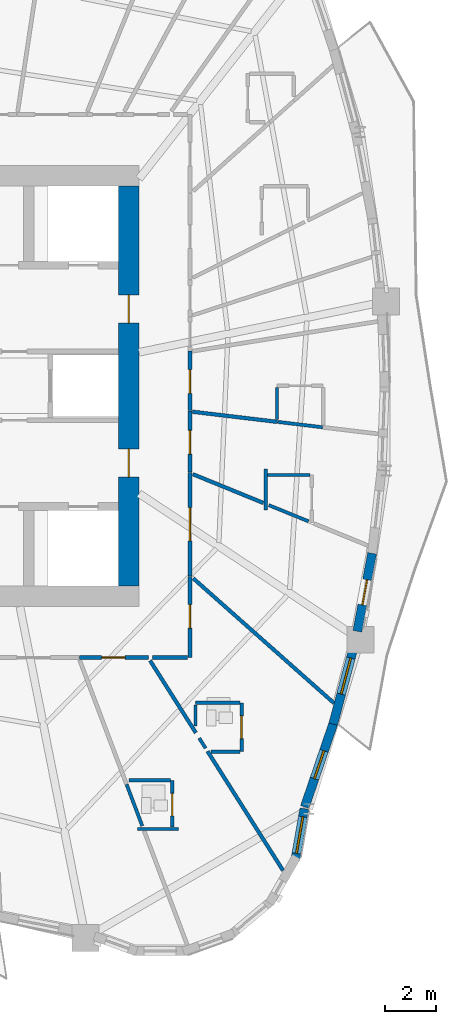
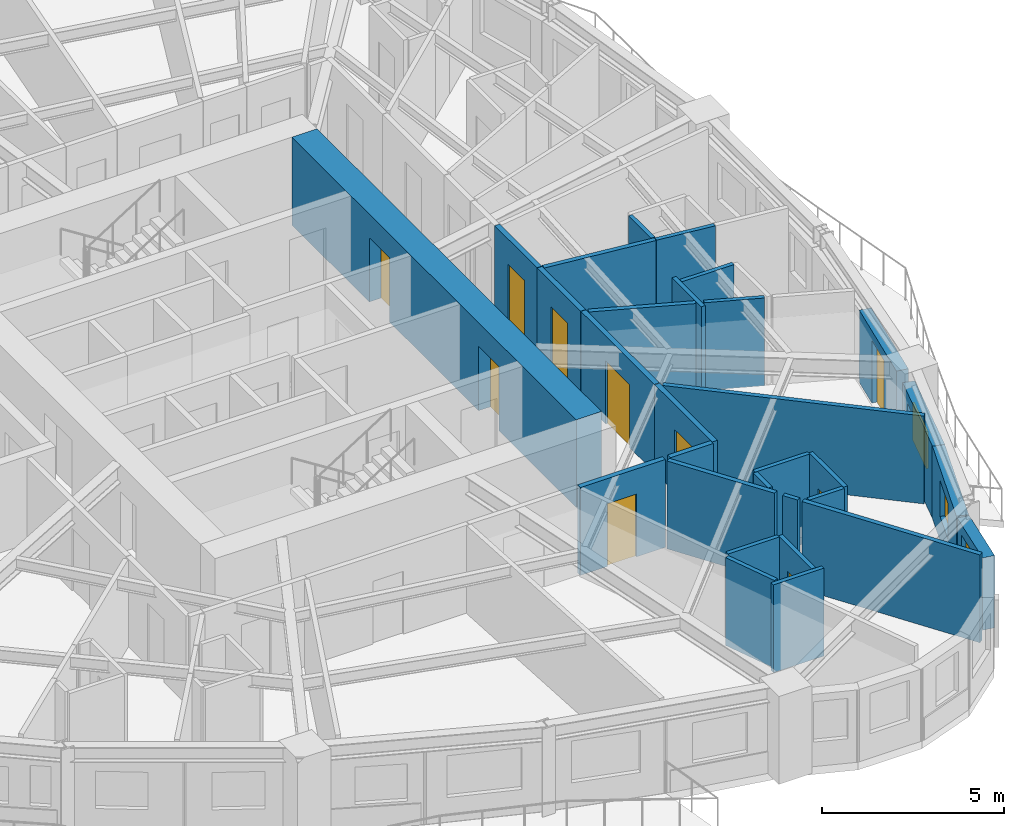
# One storey, part 6 of 14: 30 walls, 10 doors, 3 windows, 13 openings.
"""IFC4 building model written with IfcOpenShell, lengths in metres."""

from ifc_helpers import new_model, si_unit, direction, frame, frame_2d, origin, place, context, subcontext, project, spatial, rectangle, extrude, source, transform, mapped, material, layer, layer_set, type_object, element, fill, save


model = new_model("IFC4")

# Units and contexts
model_context = context("Model", 3, precision=1e-05, world=origin(), true_north=direction((0.0, 1.0)))
body_context = subcontext(model_context, "Body", "Model", "MODEL_VIEW")
ifc_project = project(units=[si_unit("LENGTHUNIT", "METRE"), si_unit("AREAUNIT", "SQUARE_METRE"), si_unit("VOLUMEUNIT", "CUBIC_METRE"), si_unit("PLANEANGLEUNIT", "RADIAN"), si_unit("MASSUNIT", "GRAM", prefix="KILO")], contexts=[model_context])

# Site, building, storey
site_placement = place(None, origin())
site = spatial("IfcSite", under=ifc_project, at=site_placement, CompositionType="ELEMENT")
building_placement = place(site_placement, origin())
building = spatial("IfcBuilding", under=site, at=building_placement, Name="Qafzar Sky-Pleat Residences", CompositionType="ELEMENT")
storey_placement = place(building_placement, frame((0.0, 0.0, 39.800048828125)))
storey = spatial("IfcBuildingStorey", under=building, at=storey_placement, Name="L11", CompositionType="ELEMENT", Elevation=39.800048828125)

# Wall, opening, door
ifc_material_1 = material(Name="Acoustic gypsum plasterboard partition", Category="gypsum")
ifc_layer_1 = layer(ifc_material_1, 0.159912109375)
ifc_layer_set_1 = layer_set([ifc_layer_1], Name="Acoustic gypsum plasterboard partition")
wall_type_1 = type_object("IfcWallType", Name="PART-COR-160", PredefinedType="PARTITIONING", material=ifc_layer_set_1)
wall_1_placement = place(storey_placement, frame((38.679931640625, 22.623046875, 0.0), z_axis=(0.0, 0.0, 1.0), x_axis=(0.0, -1.0, 0.0)))
wall_1 = element("IfcWall", 1, at=wall_1_placement, inside=storey, type_object=wall_type_1, Name="L11 Partition Wall PART-L11-PW-003", PredefinedType="PARTITIONING", context=body_context, shape_type="SweptSolid", body=[
    extrude(rectangle(XDim=4.026123046875, YDim=0.159912109375, at=frame_2d((2.01318359375, 0.0))), origin(), (0.0, 0.0, 1.0), 2.93994140625),
])
opening_1_placement = place(wall_1_placement, frame((1.361083984375, 0.0, 0.0)))
opening_1 = element("IfcOpeningElement", 2, at=opening_1_placement, cuts=wall_1, Name="Opening ID-05", PredefinedType="OPENING", context=body_context, shape_type="SweptSolid", body=[
    extrude(rectangle(XDim=1.300048828125, YDim=2.10009765625, at=frame_2d((0.64990234375, 1.050048828125))), frame((0.0, 0.08984375, 0.0), z_axis=(0.0, -1.0, 0.0), x_axis=(1.0, 0.0, 0.0)), (0.0, 0.0, 1.0), 0.179931640625),
])
ifc_material_2 = material(Name="Timber-faced fire door", Category="wood")
door_type_1 = type_object("IfcDoorType", Name="DR-LNG-1300", OperationType="DOUBLE_DOOR_SINGLE_SWING", PredefinedType="DOOR", material=ifc_material_2)
shared_shape_1 = source(origin(), body_context, "Body", "SweptSolid", [
    extrude(rectangle(XDim=1.300048828125, YDim=2.10009765625, at=frame_2d((0.64990234375, 1.050048828125))), frame((0.0, 0.02490234375, 0.0), z_axis=(0.0, -1.0, 0.0), x_axis=(1.0, 0.0, 0.0)), (0.0, 0.0, 1.0), 0.050048828125),
])
door_1_placement = place(opening_1_placement, origin())
door_1 = element("IfcDoor", 3, at=door_1_placement, inside=storey, type_object=door_type_1, Name="L11 Communal Kitchen Door", OperationType="DOUBLE_DOOR_SINGLE_SWING", OverallHeight=2.10009765625, OverallWidth=1.300048828125, PredefinedType="DOOR", context=body_context, shape_type="MappedRepresentation", body=[
    mapped(shared_shape_1, transform((0.0, 0.0, 0.0), x_axis=(1.0, 0.0, 0.0), y_axis=(0.0, 1.0, 0.0), z_axis=(0.0, 0.0, 1.0), scale=1.0)),
])
fill(opening_1, door_1)

wall_2_placement = place(storey_placement, frame((38.679931640625, 18.58203125, 0.0), z_axis=(0.0, 0.0, 1.0), x_axis=(0.0, -1.0, 0.0)))
wall_2 = element("IfcWall", 4, at=wall_2_placement, inside=storey, type_object=wall_type_1, Name="L11 Partition Wall PART-L11-PW-010", PredefinedType="PARTITIONING", context=body_context, shape_type="SweptSolid", body=[
    extrude(rectangle(XDim=3.162109375, YDim=0.159912109375, at=frame_2d((1.5810546875, 0.0))), origin(), (0.0, 0.0, 1.0), 2.93994140625),
])
opening_2_placement = place(wall_2_placement, frame((1.103515625, 0.0, 0.0)))
opening_2 = element("IfcOpeningElement", 5, at=opening_2_placement, cuts=wall_2, Name="Opening ID-04", PredefinedType="OPENING", context=body_context, shape_type="SweptSolid", body=[
    extrude(rectangle(XDim=0.919921875, YDim=2.10009765625, at=frame_2d((0.4599609375, 1.050048828125))), frame((0.0, 0.08984375, 0.0), z_axis=(0.0, -1.0, 0.0), x_axis=(1.0, 0.0, 0.0)), (0.0, 0.0, 1.0), 0.179931640625),
])
door_type_2 = type_object("IfcDoorType", Name="DR-BED-920", OperationType="NOTDEFINED", PredefinedType="DOOR", material=ifc_material_2)
shared_shape_2 = source(origin(), body_context, "Body", "SweptSolid", [
    extrude(rectangle(XDim=0.919921875, YDim=2.10009765625, at=frame_2d((0.4599609375, 1.050048828125))), frame((0.0, 0.02490234375, 0.0), z_axis=(0.0, -1.0, 0.0), x_axis=(1.0, 0.0, 0.0)), (0.0, 0.0, 1.0), 0.050048828125),
])
door_2_placement = place(opening_2_placement, origin())
door_2 = element("IfcDoor", 6, at=door_2_placement, inside=storey, type_object=door_type_2, Name="L11 Co-Living Bedroom 4 Door", OperationType="SINGLE_SWING_RIGHT", OverallHeight=2.10009765625, OverallWidth=0.919921875, PredefinedType="DOOR", context=body_context, shape_type="MappedRepresentation", body=[
    mapped(shared_shape_2, transform((0.0, 0.0, 0.0), x_axis=(1.0, 0.0, 0.0), y_axis=(0.0, 1.0, 0.0), z_axis=(0.0, 0.0, 1.0), scale=1.0)),
])
fill(opening_2, door_2)

wall_3_placement = place(storey_placement, frame((37.069091796875, 15.419921875, 0.0), z_axis=(0.0, 0.0, 1.0), x_axis=(-1.0, 0.0, 0.0)))
wall_3 = element("IfcWall", 7, at=wall_3_placement, inside=storey, type_object=wall_type_1, Name="L11 Partition Wall PART-L11-PW-014", PredefinedType="PARTITIONING", context=body_context, shape_type="SweptSolid", body=[
    extrude(rectangle(XDim=2.693115234375, YDim=0.159912109375, at=frame_2d((1.3466796875, 0.0))), origin(), (0.0, 0.0, 1.0), 2.93994140625),
])
opening_3_placement = place(wall_3_placement, frame((0.910888671875, 0.0, 0.0)))
opening_3 = element("IfcOpeningElement", 8, at=opening_3_placement, cuts=wall_3, Name="Opening ID-04", PredefinedType="OPENING", context=body_context, shape_type="SweptSolid", body=[
    extrude(rectangle(XDim=0.919921875, YDim=2.10009765625, at=frame_2d((0.4599609375, 1.050048828125))), frame((0.0, 0.08984375, 0.0), z_axis=(0.0, -1.0, 0.0), x_axis=(1.0, 0.0, 0.0)), (0.0, 0.0, 1.0), 0.179931640625),
])
door_3_placement = place(opening_3_placement, origin())
door_3 = element("IfcDoor", 9, at=door_3_placement, inside=storey, type_object=door_type_2, Name="L11 Co-Living Bedroom 3 Door", OperationType="SINGLE_SWING_LEFT", OverallHeight=2.10009765625, OverallWidth=0.919921875, PredefinedType="DOOR", context=body_context, shape_type="MappedRepresentation", body=[
    mapped(shared_shape_2, transform((0.0, 0.0, 0.0), x_axis=(1.0, 0.0, 0.0), y_axis=(0.0, 1.0, 0.0), z_axis=(0.0, 0.0, 1.0), scale=1.0)),
])
fill(opening_3, door_3)

wall_4_placement = place(storey_placement, frame((38.679931640625, 25.02099609375, 0.0), z_axis=(0.0, 0.0, 1.0), x_axis=(0.0, -1.0, 0.0)))
wall_4 = element("IfcWall", 10, at=wall_4_placement, inside=storey, type_object=wall_type_1, Name="L11 Partition Wall PART-L11-PW-016", PredefinedType="PARTITIONING", context=body_context, shape_type="SweptSolid", body=[
    extrude(rectangle(XDim=2.383056640625, YDim=0.159912109375, at=frame_2d((1.19140625, 0.0))), origin(), (0.0, 0.0, 1.0), 2.93994140625),
])
opening_4_placement = place(wall_4_placement, frame((0.75439453125, 0.0, 0.0)))
opening_4 = element("IfcOpeningElement", 11, at=opening_4_placement, cuts=wall_4, Name="Opening ID-04", PredefinedType="OPENING", context=body_context, shape_type="SweptSolid", body=[
    extrude(rectangle(XDim=0.919921875, YDim=2.10009765625, at=frame_2d((0.4599609375, 1.050048828125))), frame((0.0, 0.08984375, 0.0), z_axis=(0.0, -1.0, 0.0), x_axis=(1.0, 0.0, 0.0)), (0.0, 0.0, 1.0), 0.179931640625),
])
door_4_placement = place(opening_4_placement, origin())
door_4 = element("IfcDoor", 12, at=door_4_placement, inside=storey, type_object=door_type_2, Name="L11 Co-Living Bedroom 5 Door", OperationType="SINGLE_SWING_LEFT", OverallHeight=2.10009765625, OverallWidth=0.919921875, PredefinedType="DOOR", context=body_context, shape_type="MappedRepresentation", body=[
    mapped(shared_shape_2, transform((0.0, 0.0, 0.0), x_axis=(1.0, 0.0, 0.0), y_axis=(0.0, 1.0, 0.0), z_axis=(0.0, 0.0, 1.0), scale=1.0)),
])
fill(opening_4, door_4)

wall_5_placement = place(storey_placement, frame((38.679931640625, 27.35302734375, 0.0), z_axis=(0.0, 0.0, 1.0), x_axis=(0.0, -1.0, 0.0)))
wall_5 = element("IfcWall", 13, at=wall_5_placement, inside=storey, type_object=wall_type_1, Name="L11 Partition Wall PART-L11-PW-017", PredefinedType="PARTITIONING", context=body_context, shape_type="SweptSolid", body=[
    extrude(rectangle(XDim=2.317138671875, YDim=0.159912109375, at=frame_2d((1.15869140625, 0.0))), origin(), (0.0, 0.0, 1.0), 2.93994140625),
])
opening_5_placement = place(wall_5_placement, frame((0.721435546875, 0.0, 0.0)))
opening_5 = element("IfcOpeningElement", 14, at=opening_5_placement, cuts=wall_5, Name="Opening ID-04", PredefinedType="OPENING", context=body_context, shape_type="SweptSolid", body=[
    extrude(rectangle(XDim=0.919921875, YDim=2.10009765625, at=frame_2d((0.4599609375, 1.050048828125))), frame((0.0, 0.08984375, 0.0), z_axis=(0.0, -1.0, 0.0), x_axis=(1.0, 0.0, 0.0)), (0.0, 0.0, 1.0), 0.179931640625),
])
door_5_placement = place(opening_5_placement, origin())
door_5 = element("IfcDoor", 15, at=door_5_placement, inside=storey, type_object=door_type_2, Name="L11 Co-Living Bedroom 6 Door", OperationType="SINGLE_SWING_RIGHT", OverallHeight=2.10009765625, OverallWidth=0.919921875, PredefinedType="DOOR", context=body_context, shape_type="MappedRepresentation", body=[
    mapped(shared_shape_2, transform((0.0, 0.0, 0.0), x_axis=(1.0, 0.0, 0.0), y_axis=(0.0, 1.0, 0.0), z_axis=(0.0, 0.0, 1.0), scale=1.0)),
])
fill(opening_5, door_5)

# Walls
wall_6_placement = place(storey_placement, frame((37.228515625, 15.419921875, 0.0), z_axis=(0.0, 0.0, 1.0), x_axis=(1.0, 0.0, 0.0)))
element("IfcWall", 16, at=wall_6_placement, inside=storey, type_object=wall_type_1, Name="L11 Partition Wall PART-L11-PW-087", PredefinedType="PARTITIONING", context=body_context, shape_type="SweptSolid", body=[
    extrude(rectangle(XDim=1.363525390625, YDim=0.159912109375, at=frame_2d((0.681640625, 0.0))), origin(), (0.0, 0.0, 1.0), 2.93994140625),
])
ifc_layer_2 = layer(ifc_material_1, 0.14501953125)
ifc_layer_set_2 = layer_set([ifc_layer_2], Name="Acoustic gypsum plasterboard partition")
wall_type_2 = type_object("IfcWallType", Name="PART-UNIT-145", PredefinedType="PARTITIONING", material=ifc_layer_set_2)
wall_7_placement = place(storey_placement, frame((38.814208984375, 18.498291015625, 0.0), z_axis=(0.0, 0.0, 1.0), x_axis=(0.748346939228, -0.663307514316, 0.0)))
element("IfcWall", 17, at=wall_7_placement, inside=storey, type_object=wall_type_2, Name="L11 Partition Wall PART-L11-PW-046", PredefinedType="PARTITIONING", context=body_context, shape_type="SweptSolid", body=[
    extrude(rectangle(XDim=7.32080078125, YDim=0.14501953125, at=frame_2d((3.660400390625, 0.0))), origin(), (0.0, 0.0, 1.0), 2.93994140625),
])
wall_8_placement = place(storey_placement, frame((39.367919921875, 11.762939453125, 0.0), z_axis=(0.0, 0.0, 1.0), x_axis=(0.535087981742, -0.844796337465, 0.0)))
element("IfcWall", 18, at=wall_8_placement, inside=storey, type_object=wall_type_2, Name="L11 Partition Wall PART-L11-PW-049", PredefinedType="PARTITIONING", context=body_context, shape_type="SweptSolid", body=[
    extrude(rectangle(XDim=5.500732421875, YDim=0.14501953125, at=frame_2d((2.75048828125, 0.0))), origin(), (0.0, 0.0, 1.0), 2.93994140625),
])
wall_9_placement = place(storey_placement, frame((37.130615234375, 15.29443359375, 0.0), z_axis=(0.0, 0.0, 1.0), x_axis=(0.535237043706, -0.844701904251, 0.0)))
element("IfcWall", 19, at=wall_9_placement, inside=storey, type_object=wall_type_2, Name="L11 Partition Wall PART-L11-PW-056", PredefinedType="PARTITIONING", context=body_context, shape_type="SweptSolid", body=[
    extrude(rectangle(XDim=3.328369140625, YDim=0.14501953125, at=frame_2d((1.6640625, 0.0))), origin(), (0.0, 0.0, 1.0), 2.93994140625),
])
wall_10_placement = place(storey_placement, frame((38.776611328125, 24.994384765625, 0.0), z_axis=(0.0, 0.0, 1.0), x_axis=(0.992964132073, -0.1184155075, 0.0)))
element("IfcWall", 20, at=wall_10_placement, inside=storey, type_object=wall_type_2, Name="L11 Partition Wall PART-L11-PW-057", PredefinedType="PARTITIONING", context=body_context, shape_type="SweptSolid", body=[
    extrude(rectangle(XDim=3.337890625, YDim=0.14501953125, at=frame_2d((1.6689453125, 0.0))), origin(), (0.0, 0.0, 1.0), 2.93994140625),
])
wall_11_placement = place(storey_placement, frame((38.794921875, 22.560302734375, 0.0), z_axis=(0.0, 0.0, 1.0), x_axis=(0.926055147025, -0.377388214799, 0.0)))
element("IfcWall", 21, at=wall_11_placement, inside=storey, type_object=wall_type_2, Name="L11 Partition Wall PART-L11-PW-060", PredefinedType="PARTITIONING", context=body_context, shape_type="SweptSolid", body=[
    extrude(rectangle(XDim=2.971923828125, YDim=0.14501953125, at=frame_2d((1.48583984375, 0.0))), origin(), (0.0, 0.0, 1.0), 2.93994140625),
])

# Wall, opening, door
ifc_material_3 = material(Name="Moisture-resistant gypsum partition", Category="gypsum")
ifc_layer_3 = layer(ifc_material_3, 0.1298828125)
ifc_layer_set_3 = layer_set([ifc_layer_3], Name="Moisture-resistant gypsum partition")
wall_type_3 = type_object("IfcWallType", Name="PART-WET-130", PredefinedType="PARTITIONING", material=ifc_layer_set_3)
wall_12_placement = place(storey_placement, frame((37.992919921875, 8.802978515625, 0.0), z_axis=(0.0, 0.0, 1.0), x_axis=(0.0, 1.0, 0.0)))
wall_12 = element("IfcWall", 22, at=wall_12_placement, inside=storey, type_object=wall_type_3, Name="L11 Partition Wall PART-L11-PW-022", PredefinedType="PARTITIONING", context=body_context, shape_type="SweptSolid", body=[
    extrude(rectangle(XDim=1.826904296875, YDim=0.1298828125, at=frame_2d((0.91357421875, 0.0))), origin(), (0.0, 0.0, 1.0), 2.93994140625),
])
opening_6_placement = place(wall_12_placement, frame((0.43701171875, 0.0, 0.0)))
opening_6 = element("IfcOpeningElement", 23, at=opening_6_placement, cuts=wall_12, Name="Opening ID-07", PredefinedType="OPENING", context=body_context, shape_type="SweptSolid", body=[
    extrude(rectangle(XDim=0.8798828125, YDim=2.050048828125, at=frame_2d((0.43994140625, 1.02490234375))), frame((0.0, 0.074951171875, 0.0), z_axis=(0.0, -1.0, 0.0), x_axis=(1.0, 0.0, 0.0)), (0.0, 0.0, 1.0), 0.14990234375),
])
door_type_3 = type_object("IfcDoorType", Name="DR-WET-880", OperationType="NOTDEFINED", PredefinedType="DOOR", material=ifc_material_2)
shared_shape_3 = source(origin(), body_context, "Body", "SweptSolid", [
    extrude(rectangle(XDim=0.8798828125, YDim=2.050048828125, at=frame_2d((0.43994140625, 1.02490234375))), frame((0.0, 0.02490234375, 0.0), z_axis=(0.0, -1.0, 0.0), x_axis=(1.0, 0.0, 0.0)), (0.0, 0.0, 1.0), 0.050048828125),
])
door_6_placement = place(opening_6_placement, origin())
door_6 = element("IfcDoor", 24, at=door_6_placement, inside=storey, type_object=door_type_3, Name="L11 En-suite Bathroom 3 Door", OperationType="SINGLE_SWING_LEFT", OverallHeight=2.050048828125, OverallWidth=0.8798828125, PredefinedType="DOOR", context=body_context, shape_type="MappedRepresentation", body=[
    mapped(shared_shape_3, transform((0.0, 0.0, 0.0), x_axis=(1.0, 0.0, 0.0), y_axis=(0.0, 1.0, 0.0), z_axis=(0.0, 0.0, 1.0), scale=1.0)),
])
fill(opening_6, door_6)

wall_13_placement = place(storey_placement, frame((40.697021484375, 11.748046875, 0.0), z_axis=(0.0, 0.0, 1.0), x_axis=(0.0, 1.0, 0.0)))
wall_13 = element("IfcWall", 25, at=wall_13_placement, inside=storey, type_object=wall_type_3, Name="L11 Partition Wall PART-L11-PW-023", PredefinedType="PARTITIONING", context=body_context, shape_type="SweptSolid", body=[
    extrude(rectangle(XDim=1.89990234375, YDim=0.1298828125, at=frame_2d((0.949951171875, 0.0))), origin(), (0.0, 0.0, 1.0), 2.93994140625),
])
opening_7_placement = place(wall_13_placement, frame((0.510009765625, 0.0, 0.0)))
opening_7 = element("IfcOpeningElement", 26, at=opening_7_placement, cuts=wall_13, Name="Opening ID-07", PredefinedType="OPENING", context=body_context, shape_type="SweptSolid", body=[
    extrude(rectangle(XDim=0.8798828125, YDim=2.050048828125, at=frame_2d((0.43994140625, 1.02490234375))), frame((0.0, 0.074951171875, 0.0), z_axis=(0.0, -1.0, 0.0), x_axis=(1.0, 0.0, 0.0)), (0.0, 0.0, 1.0), 0.14990234375),
])
door_7_placement = place(opening_7_placement, origin())
door_7 = element("IfcDoor", 27, at=door_7_placement, inside=storey, type_object=door_type_3, Name="L11 En-suite Bathroom 4 Door", OperationType="SINGLE_SWING_RIGHT", OverallHeight=2.050048828125, OverallWidth=0.8798828125, PredefinedType="DOOR", context=body_context, shape_type="MappedRepresentation", body=[
    mapped(shared_shape_3, transform((0.0, 0.0, 0.0), x_axis=(1.0, 0.0, 0.0), y_axis=(0.0, 1.0, 0.0), z_axis=(0.0, 0.0, 1.0), scale=1.0)),
])
fill(opening_7, door_7)

# Walls
wall_14_placement = place(storey_placement, frame((41.7578125, 21.352783203125, 0.0), z_axis=(0.0, 0.0, 1.0), x_axis=(0.926203809775, -0.377023212492, 0.0)))
element("IfcWall", 28, at=wall_14_placement, inside=storey, type_object=wall_type_3, Name="L11 Partition Wall PART-L11-PW-070", PredefinedType="PARTITIONING", context=body_context, shape_type="SweptSolid", body=[
    extrude(rectangle(XDim=1.671875, YDim=0.1298828125, at=frame_2d((0.8359375, 0.0))), origin(), (0.0, 0.0, 1.0), 2.93994140625),
])
wall_15_placement = place(storey_placement, frame((36.21337890625, 10.472900390625, 0.0), z_axis=(0.0, 0.0, 1.0), x_axis=(0.353194751426, -0.935549820996, 0.0)))
element("IfcWall", 29, at=wall_15_placement, inside=storey, type_object=wall_type_3, Name="L11 Partition Wall PART-L11-PW-072", PredefinedType="PARTITIONING", context=body_context, shape_type="SweptSolid", body=[
    extrude(rectangle(XDim=1.730224609375, YDim=0.1298828125, at=frame_2d((0.865234375, 0.0))), origin(), (0.0, 0.0, 1.0), 2.93994140625),
])
wall_16_placement = place(storey_placement, frame((36.302978515625, 10.6298828125, 0.0), z_axis=(0.0, 0.0, 1.0), x_axis=(1.0, 0.0, 0.0)))
element("IfcWall", 30, at=wall_16_placement, inside=storey, type_object=wall_type_3, Name="L11 Partition Wall PART-L11-PW-073", PredefinedType="PARTITIONING", context=body_context, shape_type="SweptSolid", body=[
    extrude(rectangle(XDim=1.616943359375, YDim=0.1298828125, at=frame_2d((0.80859375, 0.0))), origin(), (0.0, 0.0, 1.0), 2.93994140625),
])
wall_17_placement = place(storey_placement, frame((38.89697265625, 13.64794921875, 0.0), z_axis=(0.0, 0.0, 1.0), x_axis=(1.0, 0.0, 0.0)))
element("IfcWall", 31, at=wall_17_placement, inside=storey, type_object=wall_type_3, Name="L11 Partition Wall PART-L11-PW-074", PredefinedType="PARTITIONING", context=body_context, shape_type="SweptSolid", body=[
    extrude(rectangle(XDim=1.72705078125, YDim=0.1298828125, at=frame_2d((0.863525390625, 0.0))), origin(), (0.0, 0.0, 1.0), 2.93994140625),
])
wall_18_placement = place(storey_placement, frame((41.705078125, 22.530029296875, 0.0), z_axis=(0.0, 0.0, 1.0), x_axis=(1.0, 0.0, 0.0)))
element("IfcWall", 32, at=wall_18_placement, inside=storey, type_object=wall_type_3, Name="L11 Partition Wall PART-L11-PW-075", PredefinedType="PARTITIONING", context=body_context, shape_type="SweptSolid", body=[
    extrude(rectangle(XDim=1.65380859375, YDim=0.1298828125, at=frame_2d((0.826904296875, 0.0))), origin(), (0.0, 0.0, 1.0), 2.93994140625),
])
wall_19_placement = place(storey_placement, frame((42.10595703125, 24.59765625, 0.0), z_axis=(0.0, 0.0, 1.0), x_axis=(0.992915674768, -0.118821137848, 0.0)))
element("IfcWall", 33, at=wall_19_placement, inside=storey, type_object=wall_type_3, Name="L11 Partition Wall PART-L11-PW-082", PredefinedType="PARTITIONING", context=body_context, shape_type="SweptSolid", body=[
    extrude(rectangle(XDim=1.752685546875, YDim=0.1298828125, at=frame_2d((0.87646484375, 0.0))), origin(), (0.0, 0.0, 1.0), 2.93994140625),
])
wall_20_placement = place(storey_placement, frame((42.075927734375, 24.689697265625, 0.0), z_axis=(0.0, 0.0, 1.0), x_axis=(0.0, 1.0, 0.0)))
element("IfcWall", 34, at=wall_20_placement, inside=storey, type_object=wall_type_3, Name="L11 Partition Wall PART-L11-PW-090", PredefinedType="PARTITIONING", context=body_context, shape_type="SweptSolid", body=[
    extrude(rectangle(XDim=1.245361328125, YDim=0.1298828125, at=frame_2d((0.62255859375, 0.0))), origin(), (0.0, 0.0, 1.0), 2.93994140625),
])
wall_21_placement = place(storey_placement, frame((39.511962890625, 11.748046875, 0.0), z_axis=(0.0, 0.0, 1.0), x_axis=(1.0, 0.0, 0.0)))
element("IfcWall", 35, at=wall_21_placement, inside=storey, type_object=wall_type_3, Name="L11 Partition Wall PART-L11-PW-093", PredefinedType="PARTITIONING", context=body_context, shape_type="SweptSolid", body=[
    extrude(rectangle(XDim=1.112060546875, YDim=0.1298828125, at=frame_2d((0.55615234375, 0.0))), origin(), (0.0, 0.0, 1.0), 2.93994140625),
])
wall_22_placement = place(storey_placement, frame((38.89697265625, 12.74609375, 0.0), z_axis=(0.0, 0.0, 1.0), x_axis=(0.0, 1.0, 0.0)))
element("IfcWall", 36, at=wall_22_placement, inside=storey, type_object=wall_type_3, Name="L11 Partition Wall PART-L11-PW-098", PredefinedType="PARTITIONING", context=body_context, shape_type="SweptSolid", body=[
    extrude(rectangle(XDim=0.828857421875, YDim=0.1298828125, at=frame_2d((0.41455078125, 0.0))), origin(), (0.0, 0.0, 1.0), 2.93994140625),
])
wall_23_placement = place(storey_placement, frame((41.632080078125, 21.1640625, 0.0), z_axis=(0.0, 0.0, 1.0), x_axis=(0.0, 1.0, 0.0)))
element("IfcWall", 37, at=wall_23_placement, inside=storey, type_object=wall_type_3, Name="L11 Partition Wall PART-L11-PW-099", PredefinedType="PARTITIONING", context=body_context, shape_type="SweptSolid", body=[
    extrude(rectangle(XDim=1.60595703125, YDim=0.1298828125, at=frame_2d((0.802978515625, 0.0))), origin(), (0.0, 0.0, 1.0), 2.93994140625),
])
wall_24_placement = place(storey_placement, frame((36.632080078125, 8.72998046875, 0.0), z_axis=(0.0, 0.0, 1.0), x_axis=(1.0, 0.0, 0.0)))
element("IfcWall", 38, at=wall_24_placement, inside=storey, type_object=wall_type_3, Name="L11 Partition Wall PART-L11-PW-100", PredefinedType="PARTITIONING", context=body_context, shape_type="SweptSolid", body=[
    extrude(rectangle(XDim=1.600830078125, YDim=0.1298828125, at=frame_2d((0.80029296875, 0.0))), origin(), (0.0, 0.0, 1.0), 2.93994140625),
])
wall_25_placement = place(storey_placement, frame((39.044189453125, 12.274169921875, 0.0), z_axis=(0.0, 0.0, 1.0), x_axis=(0.535002019117, -0.844850779452, 0.0)))
element("IfcWall", 39, at=wall_25_placement, inside=storey, type_object=wall_type_3, Name="L11 Partition Wall PART-L11-PW-104", PredefinedType="PARTITIONING", context=body_context, shape_type="SweptSolid", body=[
    extrude(rectangle(XDim=0.464111328125, YDim=0.1298828125, at=frame_2d((0.23193359375, 0.0))), origin(), (0.0, 0.0, 1.0), 2.93994140625),
])

# Wall, opening, window
ifc_material_4 = material(Name="Precast concrete C40/50 with honed Riyadh limestone", Category="concrete")
ifc_layer_4 = layer(ifc_material_4, 0.35009765625)
ifc_layer_set_4 = layer_set([ifc_layer_4], Name="Precast concrete C40/50 with honed Riyadh limestone")
wall_type_4 = type_object("IfcWallType", Name="WALL-EXT-350", PredefinedType="SOLIDWALL", material=ifc_layer_set_4)
wall_26_placement = place(storey_placement, frame((42.788818359375, 7.5244140625, 0.0), z_axis=(0.0, 0.0, 1.0), x_axis=(0.173586593252, 0.984818610021, 0.0)))
wall_26 = element("IfcWall", 40, at=wall_26_placement, inside=storey, type_object=wall_type_4, Name="L11 Limestone Facade Wall 22", PredefinedType="SOLIDWALL", context=body_context, shape_type="SweptSolid", body=[
    extrude(rectangle(XDim=2.0322265625, YDim=0.35009765625, at=frame_2d((1.01611328125, 0.0))), origin(), (0.0, 0.0, 1.0), 2.419921875),
])
opening_8_placement = place(wall_26_placement, frame((0.26123046875, 0.0, 0.820068359375)))
opening_8 = element("IfcOpeningElement", 41, at=opening_8_placement, cuts=wall_26, Name="Opening WN-15", PredefinedType="OPENING", context=body_context, shape_type="SweptSolid", body=[
    extrude(rectangle(XDim=1.449951171875, YDim=1.25, at=frame_2d((0.72509765625, 0.625))), frame((0.0, 0.18505859375, 0.0), z_axis=(0.0, -1.0, 0.0), x_axis=(1.0, 0.0, 0.0)), (0.0, 0.0, 1.0), 0.3701171875),
])
ifc_material_5 = material(Name="Solar-control low-E glass in bronze aluminium frame", Category="glass")
window_type_1 = type_object("IfcWindowType", Name="WIN-15", PartitioningType="SINGLE_PANEL", PredefinedType="WINDOW", material=ifc_material_5)
shared_shape_4 = source(origin(), body_context, "Body", "SweptSolid", [
    extrude(rectangle(XDim=1.449951171875, YDim=1.25, at=frame_2d((0.72509765625, 0.625))), frame((0.0, 0.030029296875, 0.0), z_axis=(0.0, -1.0, 0.0), x_axis=(1.0, 0.0, 0.0)), (0.0, 0.0, 1.0), 0.06005859375),
])
window_1_placement = place(opening_8_placement, origin())
window_1 = element("IfcWindow", 42, at=window_1_placement, inside=storey, type_object=window_type_1, Name="L11 Punched Facade Window 22", OverallHeight=1.25, OverallWidth=1.449951171875, PartitioningType="SINGLE_PANEL", PredefinedType="WINDOW", context=body_context, shape_type="MappedRepresentation", body=[
    mapped(shared_shape_4, transform((0.0, 0.0, 0.0), x_axis=(1.0, 0.0, 0.0), y_axis=(0.0, 1.0, 0.0), z_axis=(0.0, 0.0, 1.0), scale=1.0)),
])
fill(opening_8, window_1)

wall_27_placement = place(storey_placement, frame((43.158447265625, 9.5908203125, 0.0), z_axis=(0.0, 0.0, 1.0), x_axis=(0.323579292047, 0.946201057788, 0.0)))
wall_27 = element("IfcWall", 43, at=wall_27_placement, inside=storey, type_object=wall_type_4, Name="L11 Limestone Facade Wall 23", PredefinedType="SOLIDWALL", context=body_context, shape_type="SweptSolid", body=[
    extrude(rectangle(XDim=3.50244140625, YDim=0.35009765625, at=frame_2d((1.751220703125, 0.0))), origin(), (0.0, 0.0, 1.0), 2.419921875),
])
opening_9_placement = place(wall_27_placement, frame((1.166259765625, 0.0, 0.820068359375)))
opening_9 = element("IfcOpeningElement", 44, at=opening_9_placement, cuts=wall_27, Name="Opening WN-16", PredefinedType="OPENING", context=body_context, shape_type="SweptSolid", body=[
    extrude(rectangle(XDim=1.14990234375, YDim=1.199951171875, at=frame_2d((0.574951171875, 0.60009765625))), frame((0.0, 0.18505859375, 0.0), z_axis=(0.0, -1.0, 0.0), x_axis=(1.0, 0.0, 0.0)), (0.0, 0.0, 1.0), 0.3701171875),
])
window_type_2 = type_object("IfcWindowType", Name="WIN-16", PartitioningType="SINGLE_PANEL", PredefinedType="WINDOW", material=ifc_material_5)
shared_shape_5 = source(origin(), body_context, "Body", "SweptSolid", [
    extrude(rectangle(XDim=1.14990234375, YDim=1.199951171875, at=frame_2d((0.574951171875, 0.60009765625))), frame((0.0, 0.030029296875, 0.0), z_axis=(0.0, -1.0, 0.0), x_axis=(1.0, 0.0, 0.0)), (0.0, 0.0, 1.0), 0.06005859375),
])
window_2_placement = place(opening_9_placement, origin())
window_2 = element("IfcWindow", 45, at=window_2_placement, inside=storey, type_object=window_type_2, Name="L11 Punched Facade Window 23", OverallHeight=1.199951171875, OverallWidth=1.14990234375, PartitioningType="SINGLE_PANEL", PredefinedType="WINDOW", context=body_context, shape_type="MappedRepresentation", body=[
    mapped(shared_shape_5, transform((0.0, 0.0, 0.0), x_axis=(1.0, 0.0, 0.0), y_axis=(0.0, 1.0, 0.0), z_axis=(0.0, 0.0, 1.0), scale=1.0)),
])
fill(opening_9, window_2)

wall_28_placement = place(storey_placement, frame((44.26611328125, 12.820556640625, 0.0), z_axis=(0.0, 0.0, 1.0), x_axis=(0.257117431061, 0.966380166728, 0.0)))
wall_28 = element("IfcWall", 46, at=wall_28_placement, inside=storey, type_object=wall_type_4, Name="L11 Limestone Facade Wall 24", PredefinedType="SOLIDWALL", context=body_context, shape_type="SweptSolid", body=[
    extrude(rectangle(XDim=3.149658203125, YDim=0.35009765625, at=frame_2d((1.57470703125, 0.0))), origin(), (0.0, 0.0, 1.0), 2.419921875),
])
opening_10_placement = place(wall_28_placement, frame((1.210205078125, 0.0, 0.820068359375)))
opening_10 = element("IfcOpeningElement", 47, at=opening_10_placement, cuts=wall_28, Name="Opening WN-15", PredefinedType="OPENING", context=body_context, shape_type="SweptSolid", body=[
    extrude(rectangle(XDim=1.449951171875, YDim=1.25, at=frame_2d((0.72509765625, 0.625))), frame((0.0, 0.18505859375, 0.0), z_axis=(0.0, -1.0, 0.0), x_axis=(1.0, 0.0, 0.0)), (0.0, 0.0, 1.0), 0.3701171875),
])
window_3_placement = place(opening_10_placement, origin())
window_3 = element("IfcWindow", 48, at=window_3_placement, inside=storey, type_object=window_type_1, Name="L11 Punched Facade Window 24-2", OverallHeight=1.25, OverallWidth=1.449951171875, PartitioningType="SINGLE_PANEL", PredefinedType="WINDOW", context=body_context, shape_type="MappedRepresentation", body=[
    mapped(shared_shape_4, transform((0.0, 0.0, 0.0), x_axis=(1.0, 0.0, 0.0), y_axis=(0.0, 1.0, 0.0), z_axis=(0.0, 0.0, 1.0), scale=1.0)),
])
fill(opening_10, window_3)

# Wall, opening, door
wall_29_placement = place(storey_placement, frame((45.206298828125, 16.4365234375, 0.0), z_axis=(0.0, 0.0, 1.0), x_axis=(0.186622565297, 0.982431686237, 0.0)))
wall_29 = element("IfcWall", 49, at=wall_29_placement, inside=storey, type_object=wall_type_4, Name="L11 Limestone Facade Wall 25", PredefinedType="SOLIDWALL", context=body_context, shape_type="SweptSolid", body=[
    extrude(rectangle(XDim=3.093994140625, YDim=0.35009765625, at=frame_2d((1.546875, 0.0))), origin(), (0.0, 0.0, 1.0), 2.419921875),
])
opening_11_placement = place(wall_29_placement, frame((1.047119140625, 0.0, 0.0)))
opening_11 = element("IfcOpeningElement", 50, at=opening_11_placement, cuts=wall_29, Name="Opening ED-05", PredefinedType="OPENING", context=body_context, shape_type="SweptSolid", body=[
    extrude(rectangle(XDim=1.0, YDim=2.10009765625, at=frame_2d((0.5, 1.050048828125))), frame((0.0, 0.18505859375, 0.0), z_axis=(0.0, -1.0, 0.0), x_axis=(1.0, 0.0, 0.0)), (0.0, 0.0, 1.0), 0.3701171875),
])
ifc_material_6 = material(Name="Glazed bronze aluminium door", Category="aluminium")
door_type_4 = type_object("IfcDoorType", Name="DR-BAL-1000", OperationType="NOTDEFINED", PredefinedType="DOOR", material=ifc_material_6)
shared_shape_6 = source(origin(), body_context, "Body", "SweptSolid", [
    extrude(rectangle(XDim=1.0, YDim=2.10009765625, at=frame_2d((0.5, 1.050048828125))), frame((0.0, 0.02490234375, 0.0), z_axis=(0.0, -1.0, 0.0), x_axis=(1.0, 0.0, 0.0)), (0.0, 0.0, 1.0), 0.050048828125),
])
door_8_placement = place(opening_11_placement, origin())
door_8 = element("IfcDoor", 51, at=door_8_placement, inside=storey, type_object=door_type_4, Name="L11 Glazed Balcony Door 1", OperationType="SINGLE_SWING_LEFT", OverallHeight=2.10009765625, OverallWidth=1.0, PredefinedType="DOOR", context=body_context, shape_type="MappedRepresentation", body=[
    mapped(shared_shape_6, transform((0.0, 0.0, 0.0), x_axis=(1.0, 0.0, 0.0), y_axis=(0.0, 1.0, 0.0), z_axis=(0.0, 0.0, 1.0), scale=1.0)),
])
fill(opening_11, door_8)

# Wall, openings, doors
ifc_material_7 = material(Name="Concrete C60/75", Category="concrete")
ifc_layer_5 = layer(ifc_material_7, 0.800048828125)
ifc_layer_set_5 = layer_set([ifc_layer_5], Name="Concrete C60/75")
wall_type_5 = type_object("IfcWallType", Name="WALL-SHEAR-800", PredefinedType="SHEAR", material=ifc_layer_set_5)
wall_30_placement = place(storey_placement, frame((36.300048828125, 18.199951171875, 0.0), z_axis=(0.0, 0.0, 1.0), x_axis=(0.0, 1.0, 0.0)))
wall_30 = element("IfcWall", 52, at=wall_30_placement, inside=storey, type_object=wall_type_5, Name="L11 CORE wall E", PredefinedType="SHEAR", context=body_context, shape_type="SweptSolid", body=[
    extrude(rectangle(XDim=15.60009765625, YDim=0.800048828125, at=frame_2d((7.800048828125, 0.0))), origin(), (0.0, 0.0, 1.0), 2.93994140625),
])
opening_12_placement = place(wall_30_placement, frame((4.25, 0.0, 0.0)))
opening_12 = element("IfcOpeningElement", 53, at=opening_12_placement, cuts=wall_30, Name="Opening ID-02", PredefinedType="OPENING", context=body_context, shape_type="SweptSolid", body=[
    extrude(rectangle(XDim=1.10009765625, YDim=2.14990234375, at=frame_2d((0.550048828125, 1.074951171875))), frame((0.0, 0.41015625, 0.0), z_axis=(0.0, -1.0, 0.0), x_axis=(1.0, 0.0, 0.0)), (0.0, 0.0, 1.0), 0.820068359375),
])
opening_13_placement = place(wall_30_placement, frame((10.25, 0.0, 0.0)))
opening_13 = element("IfcOpeningElement", 54, at=opening_13_placement, cuts=wall_30, Name="Opening ID-02", PredefinedType="OPENING", context=body_context, shape_type="SweptSolid", body=[
    extrude(rectangle(XDim=1.10009765625, YDim=2.14990234375, at=frame_2d((0.550048828125, 1.074951171875))), frame((0.0, 0.41015625, 0.0), z_axis=(0.0, -1.0, 0.0), x_axis=(1.0, 0.0, 0.0)), (0.0, 0.0, 1.0), 0.820068359375),
])
door_type_5 = type_object("IfcDoorType", Name="DR-FFL-1100", OperationType="NOTDEFINED", PredefinedType="DOOR", material=ifc_material_2)
shared_shape_7 = source(origin(), body_context, "Body", "SweptSolid", [
    extrude(rectangle(XDim=1.10009765625, YDim=2.14990234375, at=frame_2d((0.550048828125, 1.074951171875))), frame((0.0, 0.02490234375, 0.0), z_axis=(0.0, -1.0, 0.0), x_axis=(1.0, 0.0, 0.0)), (0.0, 0.0, 1.0), 0.050048828125),
])
door_9_placement = place(opening_12_placement, origin())
door_9 = element("IfcDoor", 55, at=door_9_placement, inside=storey, type_object=door_type_5, Name="L11 Firefighting Lobby South Corridor Door", OperationType="SINGLE_SWING_LEFT", OverallHeight=2.14990234375, OverallWidth=1.10009765625, PredefinedType="DOOR", context=body_context, shape_type="MappedRepresentation", body=[
    mapped(shared_shape_7, transform((0.0, 0.0, 0.0), x_axis=(1.0, 0.0, 0.0), y_axis=(0.0, 1.0, 0.0), z_axis=(0.0, 0.0, 1.0), scale=1.0)),
])
fill(opening_12, door_9)
door_10_placement = place(opening_13_placement, origin())
door_10 = element("IfcDoor", 56, at=door_10_placement, inside=storey, type_object=door_type_5, Name="L11 Firefighting Lobby North Corridor Door", OperationType="SINGLE_SWING_RIGHT", OverallHeight=2.14990234375, OverallWidth=1.10009765625, PredefinedType="DOOR", context=body_context, shape_type="MappedRepresentation", body=[
    mapped(shared_shape_7, transform((0.0, 0.0, 0.0), x_axis=(1.0, 0.0, 0.0), y_axis=(0.0, 1.0, 0.0), z_axis=(0.0, 0.0, 1.0), scale=1.0)),
])
fill(opening_13, door_10)

save(model, "model.ifc")
